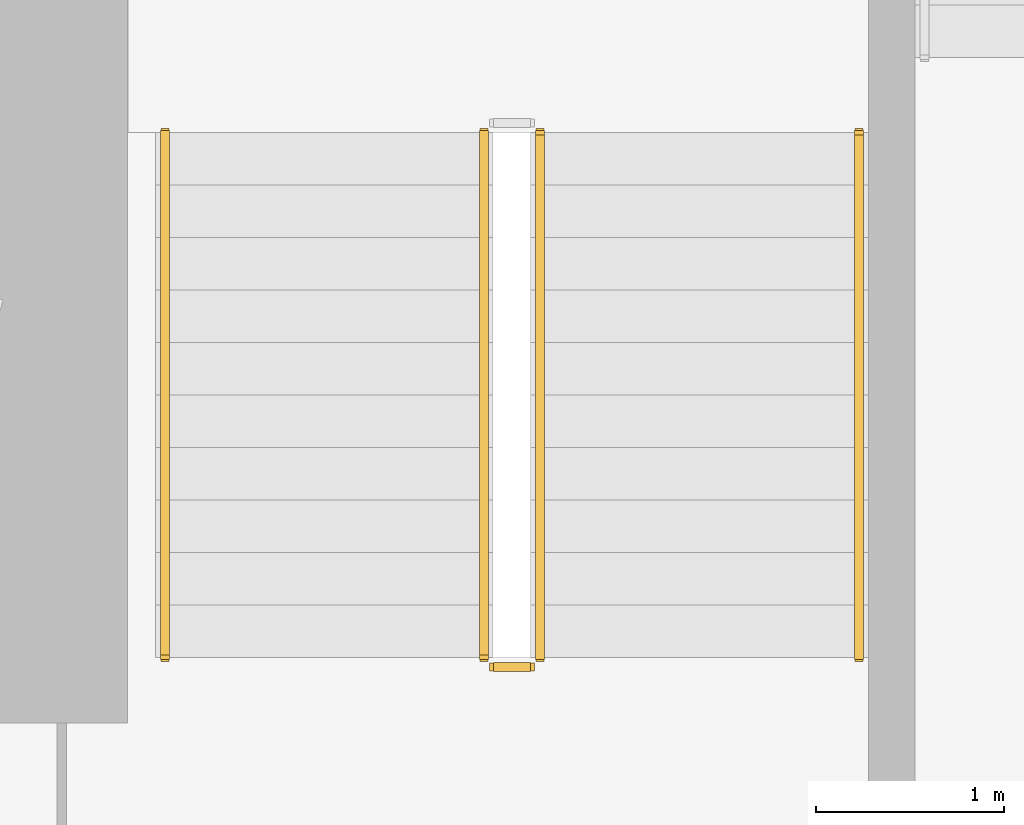
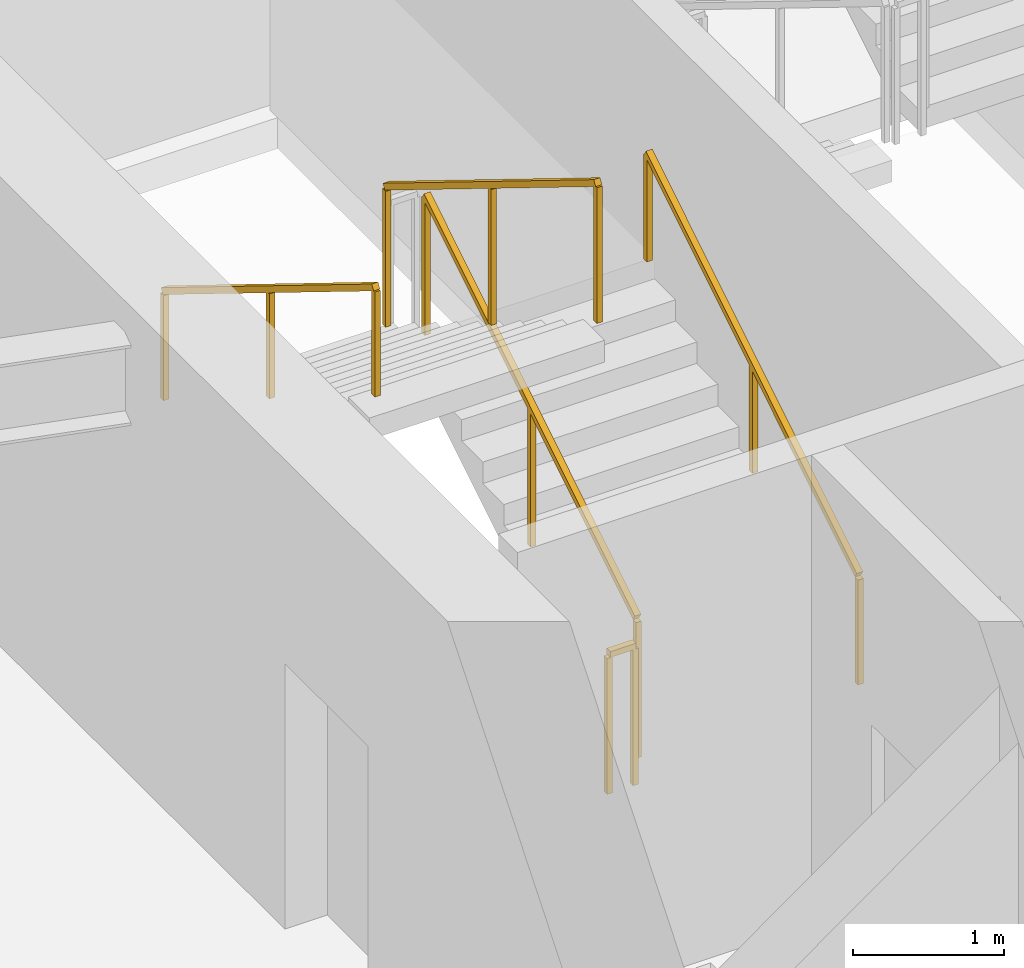
# One storey, part 23 of 26: 5 railings.
"""IFC4 building model written with IfcOpenShell, lengths in metres."""

from ifc_helpers import new_model, si_unit, direction, frame, origin, origin_2d, place, context, subcontext, project, spatial, rectangle, extrude, material, type_object, element, save


model = new_model("IFC4")

# Units and contexts
model_context = context("Model", 3, precision=1e-05, world=origin(), true_north=direction((0.0, 1.0)))
body_context = subcontext(model_context, "Body", "Model", "MODEL_VIEW")
ifc_project = project(units=[si_unit("LENGTHUNIT", "METRE"), si_unit("AREAUNIT", "SQUARE_METRE"), si_unit("VOLUMEUNIT", "CUBIC_METRE"), si_unit("PLANEANGLEUNIT", "RADIAN"), si_unit("MASSUNIT", "GRAM", prefix="KILO")], contexts=[model_context])

# Site, building, storey
site_placement = place(None, origin())
site = spatial("IfcSite", under=ifc_project, at=site_placement, CompositionType="ELEMENT")
building_placement = place(site_placement, origin())
building = spatial("IfcBuilding", under=site, at=building_placement, Name="Zuhravey Tower", CompositionType="ELEMENT")
storey_placement = place(building_placement, frame((0.0, 0.0, 165.60009765625)))
storey = spatial("IfcBuildingStorey", under=building, at=storey_placement, Name="L41", CompositionType="ELEMENT", Elevation=165.60009765625)

# Railings
ifc_material_1 = material(Name="Brushed stainless steel", Category="steel")
railing_type_1 = type_object("IfcRailingType", Name="Stair Wall Handrail 900", PredefinedType="HANDRAIL", material=ifc_material_1)
railing_1_placement = place(storey_placement, frame((29.75, 33.199951171875, 0.172607421875)))
element("IfcRailing", 1, at=railing_1_placement, inside=storey, type_object=railing_type_1, Name="L41 ST1 stair handrail 1", PredefinedType="HANDRAIL", context=body_context, shape_type="SweptSolid", body=[
    extrude(rectangle(XDim=0.048095703125, YDim=0.048095703125, at=origin_2d()), frame((0.0, 0.001708984375, 0.876953125), z_axis=(0.0, 0.851089632645, 0.525020415988), x_axis=(-1.0, 0.0, 0.0)), (0.0, 0.0, 1.0), 3.285888671875),
    extrude(rectangle(XDim=0.0419921875, YDim=0.0419921875, at=origin_2d()), origin(), (0.0, 0.0, 1.0), 0.849853515625),
    extrude(rectangle(XDim=0.0419921875, YDim=0.0419921875, at=origin_2d()), frame((0.0, 1.39990234375, 0.86376953125)), (0.0, 0.0, 1.0), 0.849853515625),
    extrude(rectangle(XDim=0.0419921875, YDim=0.0419921875, at=origin_2d()), frame((0.0, 2.800048828125, 1.727294921875)), (0.0, 0.0, 1.0), 0.849853515625),
])
railing_2_placement = place(storey_placement, frame((26.050048828125, 36.0, 2.072509765625)))
element("IfcRailing", 2, at=railing_2_placement, inside=storey, type_object=railing_type_1, Name="L41 ST1 stair handrail 2", PredefinedType="HANDRAIL", context=body_context, shape_type="SweptSolid", body=[
    extrude(rectangle(XDim=0.048095703125, YDim=0.048095703125, at=origin_2d()), frame((0.0, -0.001708984375, 0.876953125), z_axis=(0.0, -0.851089632645, 0.525020415988), x_axis=(1.0, 0.0, 0.0)), (0.0, 0.0, 1.0), 3.285888671875),
    extrude(rectangle(XDim=0.0419921875, YDim=0.0419921875, at=origin_2d()), origin(), (0.0, 0.0, 1.0), 0.849853515625),
    extrude(rectangle(XDim=0.0419921875, YDim=0.0419921875, at=origin_2d()), frame((0.0, -1.39990234375, 0.86376953125)), (0.0, 0.0, 1.0), 0.849853515625),
    extrude(rectangle(XDim=0.0419921875, YDim=0.0419921875, at=origin_2d()), frame((0.0, -2.800048828125, 1.727294921875)), (0.0, 0.0, 1.0), 0.849853515625),
])
ifc_material_2 = material(Name="Painted tubular steel", Category="steel")
railing_type_2 = type_object("IfcRailingType", Name="Stair Well Guardrail 1150", PredefinedType="GUARDRAIL", material=ifc_material_2)
railing_3_placement = place(storey_placement, frame((28.050048828125, 33.199951171875, 0.172607421875)))
element("IfcRailing", 3, at=railing_3_placement, inside=storey, type_object=railing_type_2, Name="L41 ST1 stair guard 1", PredefinedType="GUARDRAIL", context=body_context, shape_type="SweptSolid", body=[
    extrude(rectangle(XDim=0.048095703125, YDim=0.048095703125, at=origin_2d()), frame((0.0, 0.001708984375, 1.126953125), z_axis=(0.0, 0.851089632645, 0.525020415988), x_axis=(-1.0, 0.0, 0.0)), (0.0, 0.0, 1.0), 3.285888671875),
    extrude(rectangle(XDim=0.0419921875, YDim=0.0419921875, at=origin_2d()), origin(), (0.0, 0.0, 1.0), 1.099853515625),
    extrude(rectangle(XDim=0.0419921875, YDim=0.0419921875, at=origin_2d()), frame((0.0, 1.39990234375, 0.86376953125)), (0.0, 0.0, 1.0), 1.099853515625),
    extrude(rectangle(XDim=0.0419921875, YDim=0.0419921875, at=origin_2d()), frame((0.0, 2.800048828125, 1.727294921875)), (0.0, 0.0, 1.0), 1.099853515625),
])
railing_4_placement = place(storey_placement, frame((27.75, 36.0, 2.072509765625)))
element("IfcRailing", 4, at=railing_4_placement, inside=storey, type_object=railing_type_2, Name="L41 ST1 stair guard 3", PredefinedType="GUARDRAIL", context=body_context, shape_type="SweptSolid", body=[
    extrude(rectangle(XDim=0.048095703125, YDim=0.048095703125, at=origin_2d()), frame((0.0, -0.001708984375, 1.126953125), z_axis=(0.0, -0.851089632645, 0.525020415988), x_axis=(1.0, 0.0, 0.0)), (0.0, 0.0, 1.0), 3.285888671875),
    extrude(rectangle(XDim=0.0419921875, YDim=0.0419921875, at=origin_2d()), origin(), (0.0, 0.0, 1.0), 1.099853515625),
    extrude(rectangle(XDim=0.0419921875, YDim=0.0419921875, at=origin_2d()), frame((0.0, -1.39990234375, 0.86376953125)), (0.0, 0.0, 1.0), 1.099853515625),
    extrude(rectangle(XDim=0.0419921875, YDim=0.0419921875, at=origin_2d()), frame((0.0, -2.800048828125, 1.727294921875)), (0.0, 0.0, 1.0), 1.099853515625),
])
railing_5_placement = place(storey_placement, frame((28.0, 33.14990234375, 0.0)))
element("IfcRailing", 5, at=railing_5_placement, inside=storey, type_object=railing_type_2, Name="L41 ST1 stair guard 4", PredefinedType="GUARDRAIL", context=body_context, shape_type="SweptSolid", body=[
    extrude(rectangle(XDim=0.048095703125, YDim=0.048095703125, at=origin_2d()), frame((-0.001953125, 0.0, 1.1259765625), z_axis=(-1.0, 0.0, 0.0), x_axis=(0.0, -1.0, 0.0)), (0.0, 0.0, 1.0), 0.196044921875),
    extrude(rectangle(XDim=0.0419921875, YDim=0.0419921875, at=origin_2d()), origin(), (0.0, 0.0, 1.0), 1.099853515625),
    extrude(rectangle(XDim=0.0419921875, YDim=0.0419921875, at=origin_2d()), frame((-0.199951171875, 0.0, 0.0)), (0.0, 0.0, 1.0), 1.099853515625),
])

save(model, "model.ifc")
